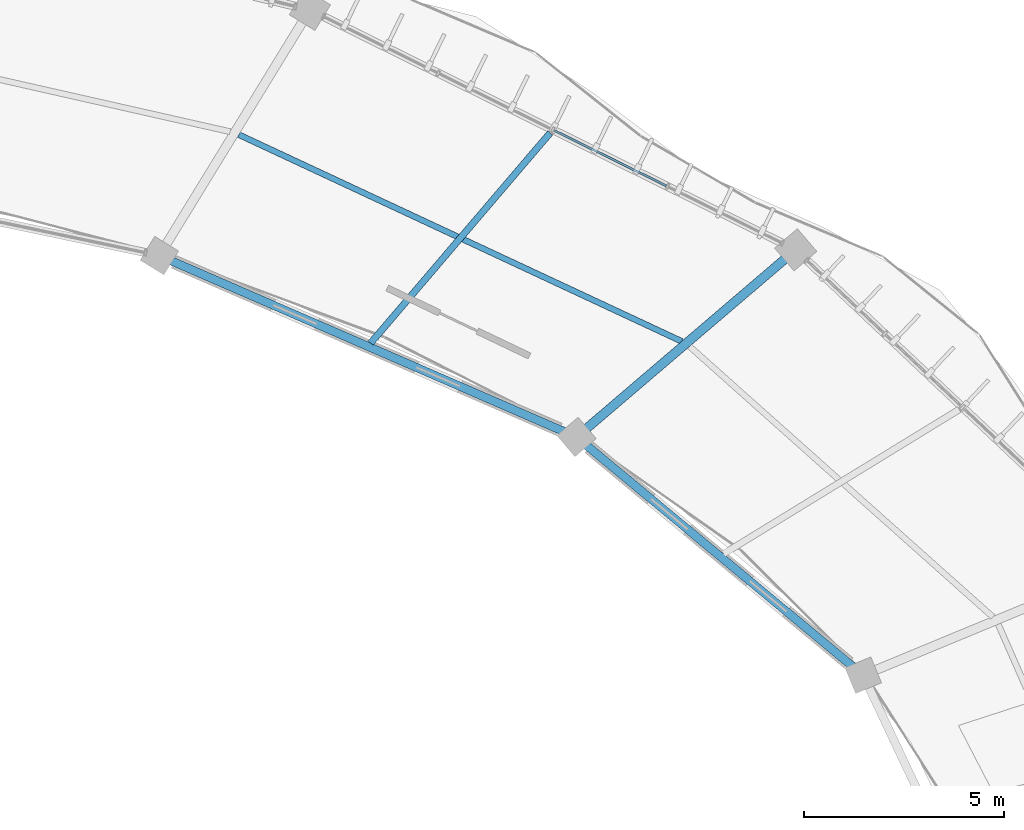
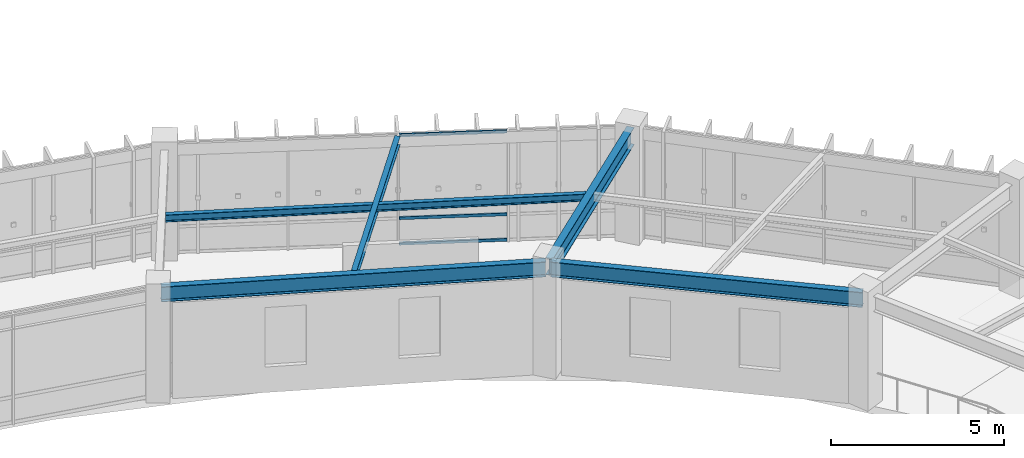
# One storey, part 78 of 152: 5 beams, 3 members, 1 element without a shape of its own.
"""IFC4 building model written with IfcOpenShell, lengths in metres."""

from ifc_helpers import new_model, si_unit, direction, frame, origin, origin_2d, place, context, subcontext, project, spatial, hollow_rectangle, i_section, extrude, material, material_profile, profile_set, type_object, element, aggregate, save


model = new_model("IFC4")

# Units and contexts
model_context = context("Model", 3, precision=1e-05, world=origin(), true_north=direction((0.0, 1.0)))
body_context = subcontext(model_context, "Body", "Model", "MODEL_VIEW")
ifc_project = project(units=[si_unit("LENGTHUNIT", "METRE"), si_unit("AREAUNIT", "SQUARE_METRE"), si_unit("VOLUMEUNIT", "CUBIC_METRE"), si_unit("PLANEANGLEUNIT", "RADIAN"), si_unit("MASSUNIT", "GRAM", prefix="KILO"), si_unit("THERMODYNAMICTEMPERATUREUNIT", "KELVIN"), si_unit("POWERUNIT", "WATT")], contexts=[model_context])

# Site, building, storey
site_placement = place(None, origin())
site = spatial("IfcSite", under=ifc_project, at=site_placement, CompositionType="ELEMENT")
building_placement = place(site_placement, origin())
building = spatial("IfcBuilding", under=site, at=building_placement, Name="Darbajah Civic Hall", CompositionType="ELEMENT")
storey_placement = place(building_placement, frame((0.0, 0.0, 5.39990234375)))
storey = spatial("IfcBuildingStorey", under=building, at=storey_placement, Name="L01", CompositionType="ELEMENT", Elevation=5.39990234375)

# Curtain wall, members
ifc_material_1 = material(Name="Anodised Bronze Aluminium and Low-E Glazing", Category="aluminium")
curtain_wall_type = type_object("IfcCurtainWallType", Name="Unitised Curtain Wall CW-20 12800x3900", PredefinedType="USERDEFINED", material=ifc_material_1)
curtain_wall_placement = place(storey_placement, origin())
curtain_wall = element("IfcCurtainWall", 1, at=curtain_wall_placement, inside=storey, type_object=curtain_wall_type, Name="L01 unitised curtain wall CW-V1O-L01-02", ObjectType="UNITISED CURTAIN WALL", PredefinedType="USERDEFINED")
ifc_material_2 = material(Name="Anodised Bronze Aluminium", Category="aluminium")
ifc_material_profile_1 = material_profile(ifc_material_2, hollow_rectangle(XDim=0.054931640625, YDim=0.10009765625, WallThickness=0.0029296875, at=origin_2d()), Name="ALU TRANSOM 55x100")
ifc_profile_set_1 = profile_set([ifc_material_profile_1], Name="Anodised Bronze Aluminium")
member_type = type_object("IfcMemberType", Name="ALU TRANSOM 55x100", PredefinedType="USERDEFINED", material=ifc_profile_set_1)
member_1_placement = place(storey_placement, frame((124.649169921875, 110.55517578125, 0.050048828125), z_axis=(-0.89655441453, 0.442933608779, 0.0), x_axis=(-0.442933608779, -0.89655441453, 0.0)))
member_1 = element("IfcMember", 2, at=member_1_placement, type_object=member_type, Name="CW-V1O-L01-02 transom 2.1", ObjectType="TRANSOM", PredefinedType="USERDEFINED", context=body_context, shape_type="SweptSolid", body=[
    extrude(hollow_rectangle(XDim=0.054931640625, YDim=0.10009765625, WallThickness=0.0029296875, at=origin_2d()), origin(), (0.0, 0.0, 1.0), 3.129638671875),
])
member_2_placement = place(storey_placement, frame((124.649169921875, 110.55517578125, 0.9501953125), z_axis=(-0.89655441453, 0.442933608779, 0.0), x_axis=(-0.442933608779, -0.89655441453, 0.0)))
member_2 = element("IfcMember", 3, at=member_2_placement, type_object=member_type, Name="CW-V1O-L01-02 transom 2.2", ObjectType="TRANSOM", PredefinedType="USERDEFINED", context=body_context, shape_type="SweptSolid", body=[
    extrude(hollow_rectangle(XDim=0.054931640625, YDim=0.10009765625, WallThickness=0.0029296875, at=origin_2d()), origin(), (0.0, 0.0, 1.0), 3.129638671875),
])
member_3_placement = place(storey_placement, frame((124.649169921875, 110.55517578125, 3.8701171875), z_axis=(-0.89655441453, 0.442933608779, 0.0), x_axis=(-0.442933608779, -0.89655441453, 0.0)))
member_3 = element("IfcMember", 4, at=member_3_placement, type_object=member_type, Name="CW-V1O-L01-02 transom 2.3", ObjectType="TRANSOM", PredefinedType="USERDEFINED", context=body_context, shape_type="SweptSolid", body=[
    extrude(hollow_rectangle(XDim=0.054931640625, YDim=0.10009765625, WallThickness=0.0029296875, at=origin_2d()), origin(), (0.0, 0.0, 1.0), 3.129638671875),
])
aggregate(curtain_wall, [member_1, member_2, member_3])

# Beams
ifc_material_3 = material(Name="Steel S355JR", Category="steel")
ifc_material_profile_2 = material_profile(ifc_material_3, i_section(OverallWidth=0.146484375, OverallDepth=0.256103515625, WebThickness=0.00634765625, FlangeThickness=0.010986328125, FilletRadius=0.007568359375, at=origin_2d()), Name="UB 254x146x37")
ifc_profile_set_2 = profile_set([ifc_material_profile_2], Name="Steel S355JR")
beam_type_1 = type_object("IfcBeamType", Name="UB 254x146x37", PredefinedType="JOIST", material=ifc_profile_set_2)
beam_1_placement = place(storey_placement, frame((125.0380859375, 106.669921875, 3.7919921875), z_axis=(-0.906187225773, 0.422876709982, 0.0), x_axis=(-0.422876709982, -0.906187225773, 0.0)))
element("IfcBeam", 5, at=beam_1_placement, inside=storey, type_object=beam_type_1, Name="L01 beam SJ-254", PredefinedType="JOIST", context=body_context, shape_type="SweptSolid", body=[
    extrude(i_section(OverallWidth=0.146484375, OverallDepth=0.256103515625, WebThickness=0.00634765625, FlangeThickness=0.010986328125, FilletRadius=0.007568359375, at=origin_2d()), origin(), (0.0, 0.0, 1.0), 12.21240234375),
])
ifc_material_profile_3 = material_profile(ifc_material_3, i_section(OverallWidth=0.165771484375, OverallDepth=0.306640625, WebThickness=0.006591796875, FlangeThickness=0.01171875, FilletRadius=0.0087890625, at=origin_2d()), Name="UB 305x165x46")
ifc_profile_set_3 = profile_set([ifc_material_profile_3], Name="Steel S355JR")
beam_type_2 = type_object("IfcBeamType", Name="UB 305x165x46", PredefinedType="JOIST", material=ifc_profile_set_3)
beam_2_placement = place(storey_placement, frame((117.264404296875, 106.62890625, 3.766845703125), z_axis=(0.649456456581, 0.760398784195, 0.0), x_axis=(-0.760398784195, 0.649456456581, 0.0)))
element("IfcBeam", 6, at=beam_2_placement, inside=storey, type_object=beam_type_2, Name="L01 beam SJ-305", PredefinedType="JOIST", context=body_context, shape_type="SweptSolid", body=[
    extrude(i_section(OverallWidth=0.165771484375, OverallDepth=0.306640625, WebThickness=0.006591796875, FlangeThickness=0.01171875, FilletRadius=0.0087890625, at=origin_2d()), origin(), (0.0, 0.0, 1.0), 6.9033203125),
])
ifc_material_profile_4 = material_profile(ifc_material_3, i_section(OverallWidth=0.209228515625, OverallDepth=0.533203125, WebThickness=0.010009765625, FlangeThickness=0.015625, FilletRadius=0.0126953125, at=origin_2d()), Name="UB 533x210x92")
ifc_profile_set_4 = profile_set([ifc_material_profile_4], Name="Steel S355JR")
beam_type_3 = type_object("IfcBeamType", Name="UB 533x210x92", PredefinedType="BEAM", material=ifc_profile_set_4)
beam_3_placement = place(storey_placement, frame((129.50439453125, 98.385009765625, 3.653564453125), z_axis=(-0.769165350471, 0.63904981311, 0.0), x_axis=(-0.63904981311, -0.769165350471, 0.0)))
element("IfcBeam", 7, at=beam_3_placement, inside=storey, type_object=beam_type_3, Name="L01 beam SB-533", PredefinedType="BEAM", context=body_context, shape_type="SweptSolid", body=[
    extrude(i_section(OverallWidth=0.209228515625, OverallDepth=0.533203125, WebThickness=0.010009765625, FlangeThickness=0.015625, FilletRadius=0.0126953125, at=origin_2d()), origin(), (0.0, 0.0, 1.0), 9.14892578125),
])
beam_4_placement = place(storey_placement, frame((122.33251953125, 104.314697265625, 3.653564453125), z_axis=(-0.91705481115, 0.398761173319, 0.0), x_axis=(-0.398761173319, -0.91705481115, 0.0)))
element("IfcBeam", 8, at=beam_4_placement, inside=storey, type_object=beam_type_3, Name="L01 beam SB-533", PredefinedType="BEAM", context=body_context, shape_type="SweptSolid", body=[
    extrude(i_section(OverallWidth=0.209228515625, OverallDepth=0.533203125, WebThickness=0.010009765625, FlangeThickness=0.015625, FilletRadius=0.0126953125, at=origin_2d()), origin(), (0.0, 0.0, 1.0), 11.202880859375),
])
ifc_material_profile_5 = material_profile(ifc_material_3, i_section(OverallWidth=0.228271484375, OverallDepth=0.607666015625, WebThickness=0.010986328125, FlangeThickness=0.017333984375, FilletRadius=0.0126953125, at=origin_2d()), Name="UB 610x229x113")
ifc_profile_set_5 = profile_set([ifc_material_profile_5], Name="Steel S355JR")
beam_type_4 = type_object("IfcBeamType", Name="UB 610x229x113", PredefinedType="BEAM", material=ifc_profile_set_5)
beam_5_placement = place(storey_placement, frame((122.466552734375, 104.334716796875, 3.6162109375), z_axis=(0.760413281686, 0.649439482197, 0.0), x_axis=(-0.649439482197, 0.760413281686, 0.0)))
element("IfcBeam", 9, at=beam_5_placement, inside=storey, type_object=beam_type_4, Name="L01 beam SB-610", PredefinedType="BEAM", context=body_context, shape_type="SweptSolid", body=[
    extrude(i_section(OverallWidth=0.228271484375, OverallDepth=0.607666015625, WebThickness=0.010986328125, FlangeThickness=0.017333984375, FilletRadius=0.0126953125, at=origin_2d()), origin(), (0.0, 0.0, 1.0), 7.0400390625),
])

save(model, "model.ifc")
